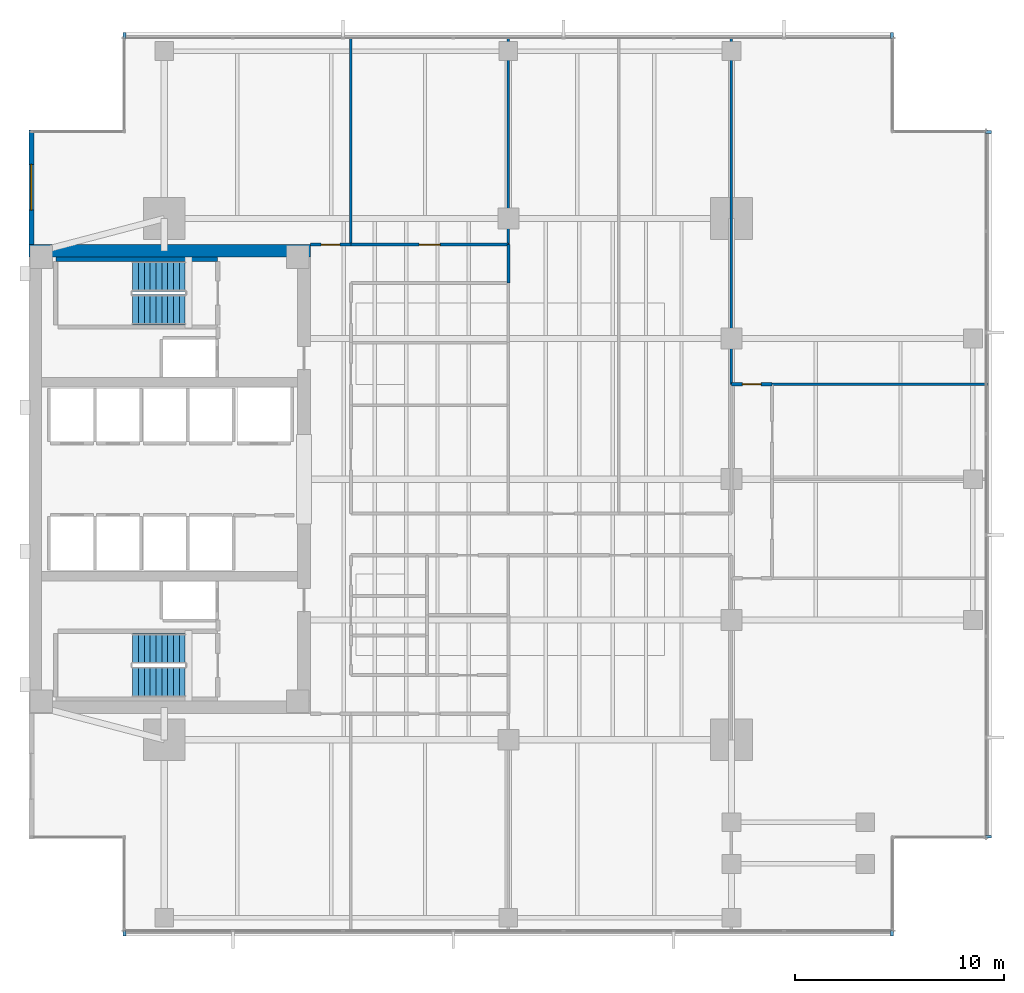
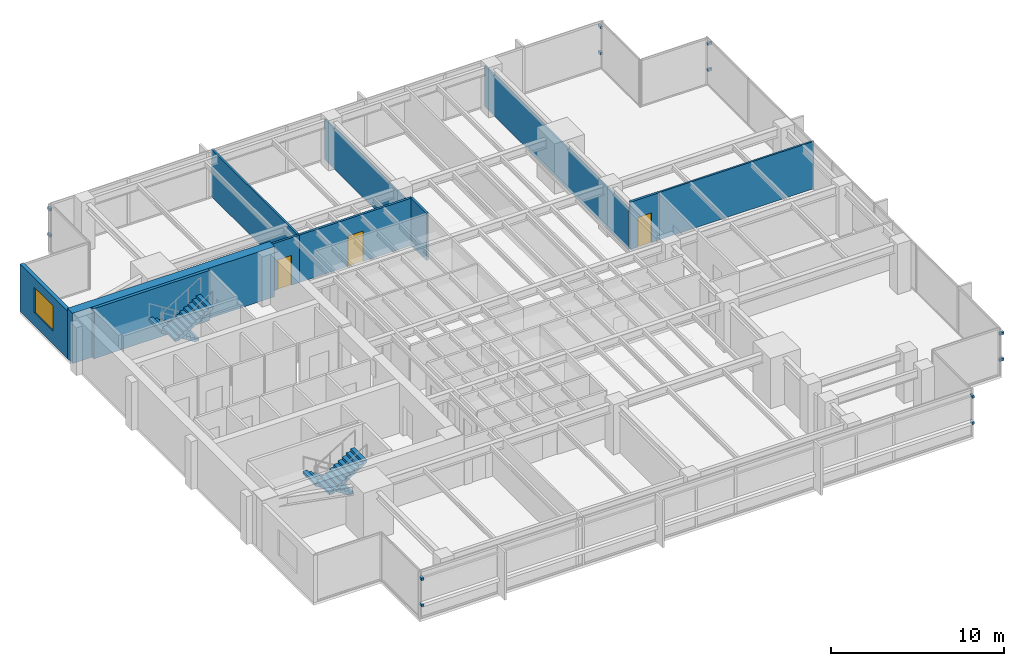
# One storey, part 11 of 15: 12 discrete accessories, 11 walls, 4 stair flights, 3 doors, 1 window, 4 openings, 2 elements without a shape of their own.
"""IFC4 building model written with IfcOpenShell, lengths in metres."""

from ifc_helpers import new_model, si_unit, direction, frame, frame_2d, origin, origin_2d, place, context, subcontext, project, spatial, polyline, rectangle, outline, extrude, material, layer, layer_set, type_object, element, fill, aggregate, save


model = new_model("IFC4")

# Units and contexts
model_context = context("Model", 3, precision=1e-05, world=origin(), true_north=direction((0.0, 1.0)))
body_context = subcontext(model_context, "Body", "Model", "MODEL_VIEW")
ifc_project = project(units=[si_unit("LENGTHUNIT", "METRE"), si_unit("AREAUNIT", "SQUARE_METRE"), si_unit("VOLUMEUNIT", "CUBIC_METRE"), si_unit("PLANEANGLEUNIT", "RADIAN"), si_unit("MASSUNIT", "GRAM", prefix="KILO")], contexts=[model_context])

# Site, building, storey
site_placement = place(None, origin())
site = spatial("IfcSite", under=ifc_project, at=site_placement, CompositionType="ELEMENT")
building_placement = place(site_placement, origin())
building = spatial("IfcBuilding", under=site, at=building_placement, Name="Kinhvarn Gate Tower", CompositionType="ELEMENT")
storey_placement = place(building_placement, frame((0.0, 0.0, 169.699951171875)))
storey = spatial("IfcBuildingStorey", under=building, at=storey_placement, Name="L45", CompositionType="ELEMENT", Elevation=169.699951171875)

# Wall
ifc_material_1 = material(Name="Concrete C60/75", Category="concrete")
ifc_layer_1 = layer(ifc_material_1, 0.60009765625)
ifc_layer_set_1 = layer_set([ifc_layer_1], Name="Concrete C60/75")
wall_type_1 = type_object("IfcWallType", Name="WL-CORE-600", PredefinedType="SHEAR", material=ifc_layer_set_1)
wall_1_placement = place(storey_placement, frame((4.5, 36.199951171875, 0.0), z_axis=(0.0, 0.0, 1.0), x_axis=(1.0, 0.0, 0.0)))
element("IfcWall", 1, at=wall_1_placement, inside=storey, type_object=wall_type_1, Name="Core North Shear Wall L45 600 mm", PredefinedType="SHEAR", context=body_context, shape_type="SweptSolid", body=[
    extrude(rectangle(XDim=13.5, YDim=0.60009765625, at=frame_2d((6.75, 0.0))), origin(), (0.0, 0.0, 1.0), 3.550048828125),
])

# Wall, opening, window
ifc_material_2 = material(Name="Fired architectural terracotta", Category="masonry")
ifc_layer_2 = layer(ifc_material_2, 0.25)
ifc_layer_set_2 = layer_set([ifc_layer_2], Name="Fired architectural terracotta")
wall_type_2 = type_object("IfcWallType", Name="WL-EXT-250", PredefinedType="SOLIDWALL", material=ifc_layer_set_2)
wall_2_placement = place(storey_placement, frame((4.625, 42.0, 0.0), z_axis=(0.0, 0.0, 1.0), x_axis=(0.0, -1.0, 0.0)))
wall_2 = element("IfcWall", 2, at=wall_2_placement, inside=storey, type_object=wall_type_2, Name="Exterior Solidwall Wall EW-250 (L45 West-North)", PredefinedType="SOLIDWALL", context=body_context, shape_type="SweptSolid", body=[
    extrude(rectangle(XDim=5.5, YDim=0.25, at=frame_2d((2.75, 0.0))), origin(), (0.0, 0.0, 1.0), 3.35009765625),
])
opening_1_placement = place(wall_2_placement, frame((1.64990234375, 0.0, 0.89990234375)))
opening_1 = element("IfcOpeningElement", 3, at=opening_1_placement, cuts=wall_2, Name="Opening WN-01", PredefinedType="OPENING", context=body_context, shape_type="SweptSolid", body=[
    extrude(rectangle(XDim=2.199951171875, YDim=1.800048828125, at=frame_2d((1.10009765625, 0.89990234375))), frame((0.0, 0.135009765625, 0.0), z_axis=(0.0, -1.0, 0.0), x_axis=(1.0, 0.0, 0.0)), (0.0, 0.0, 1.0), 0.27001953125),
])
ifc_material_3 = material(Name="Clear low-e double glazing", Category="glass")
window_type = type_object("IfcWindowType", Name="WIN-RIB-2200", PartitioningType="SINGLE_PANEL", PredefinedType="WINDOW", material=ifc_material_3)
window_placement = place(opening_1_placement, origin())
window = element("IfcWindow", 4, at=window_placement, inside=storey, type_object=window_type, Name="West Flank Double-Glazed Ribbon Window 2200x1800 mm (L45)", OverallHeight=1.800048828125, OverallWidth=2.199951171875, PartitioningType="SINGLE_PANEL", PredefinedType="WINDOW", context=body_context, shape_type="SweptSolid", body=[
    extrude(rectangle(XDim=2.199951171875, YDim=1.800048828125, at=frame_2d((1.10009765625, 0.89990234375))), frame((0.0, 0.030029296875, 0.0), z_axis=(0.0, -1.0, 0.0), x_axis=(1.0, 0.0, 0.0)), (0.0, 0.0, 1.0), 0.06005859375),
])
fill(opening_1, window)

# Walls
ifc_material_4 = material(Name="Gypsum acoustic partition board")
ifc_layer_3 = layer(ifc_material_4, 0.1201171875)
ifc_layer_set_3 = layer_set([ifc_layer_3], Name="Gypsum acoustic partition board")
wall_type_3 = type_object("IfcWallType", Name="WL-PRT-120", PredefinedType="PARTITIONING", material=ifc_layer_set_3)
wall_3_placement = place(storey_placement, frame((19.949951171875, 36.5, 0.0), z_axis=(0.0, 0.0, 1.0), x_axis=(0.0, 1.0, 0.0)))
element("IfcWall", 5, at=wall_3_placement, inside=storey, type_object=wall_type_3, Name="Interior Partition PW-120 (L45)", PredefinedType="PARTITIONING", context=body_context, shape_type="SweptSolid", body=[
    extrude(rectangle(XDim=9.989990234375, YDim=0.1201171875, at=frame_2d((4.9951171875, 0.0))), origin(), (0.0, 0.0, 1.0), 3.35009765625),
])
wall_4_placement = place(storey_placement, frame((27.5, 36.5, 0.0), z_axis=(0.0, 0.0, 1.0), x_axis=(0.0, 1.0, 0.0)))
element("IfcWall", 6, at=wall_4_placement, inside=storey, type_object=wall_type_3, Name="Interior Partition PW-120 (L45)", PredefinedType="PARTITIONING", context=body_context, shape_type="SweptSolid", body=[
    extrude(rectangle(XDim=9.989990234375, YDim=0.1201171875, at=frame_2d((4.9951171875, 0.0))), origin(), (0.0, 0.0, 1.0), 2.85009765625),
])
wall_5_placement = place(storey_placement, frame((38.199951171875, 29.800048828125, 0.0), z_axis=(0.0, 0.0, 1.0), x_axis=(0.0, 1.0, 0.0)))
element("IfcWall", 7, at=wall_5_placement, inside=storey, type_object=wall_type_3, Name="Interior Partition PW-120 (L45)", PredefinedType="PARTITIONING", context=body_context, shape_type="SweptSolid", body=[
    extrude(rectangle(XDim=16.68994140625, YDim=0.1201171875, at=frame_2d((8.344970703125, 0.0))), origin(), (0.0, 0.0, 1.0), 2.85009765625),
])
wall_6_placement = place(storey_placement, frame((40.14990234375, 29.800048828125, 0.0), z_axis=(0.0, 0.0, 1.0), x_axis=(1.0, 0.0, 0.0)))
element("IfcWall", 8, at=wall_6_placement, inside=storey, type_object=wall_type_3, Name="Interior Partition PW-120 (L45)", PredefinedType="PARTITIONING", context=body_context, shape_type="SweptSolid", body=[
    extrude(rectangle(XDim=10.340087890625, YDim=0.1201171875, at=frame_2d((5.169921875, 0.0))), origin(), (0.0, 0.0, 1.0), 3.35009765625),
])

# Wall, opening, door
ifc_layer_4 = layer(ifc_material_4, 0.14990234375)
ifc_layer_set_4 = layer_set([ifc_layer_4], Name="Gypsum acoustic partition board")
wall_type_4 = type_object("IfcWallType", Name="WL-PRT-150F", PredefinedType="PARTITIONING", material=ifc_layer_set_4)
wall_7_placement = place(storey_placement, frame((18.0, 36.5, 0.0), z_axis=(0.0, 0.0, 1.0), x_axis=(1.0, 0.0, 0.0)))
wall_7 = element("IfcWall", 9, at=wall_7_placement, inside=storey, type_object=wall_type_4, Name="Interior Partition PW-150F (L45)", PredefinedType="PARTITIONING", context=body_context, shape_type="SweptSolid", body=[
    extrude(rectangle(XDim=1.949951171875, YDim=0.14990234375, at=frame_2d((0.97509765625, 0.0))), origin(), (0.0, 0.0, 1.0), 3.35009765625),
])
opening_2_placement = place(wall_7_placement, frame((0.52490234375, 0.0, 0.0)))
opening_2 = element("IfcOpeningElement", 10, at=opening_2_placement, cuts=wall_7, Name="Opening ID-03", PredefinedType="OPENING", context=body_context, shape_type="SweptSolid", body=[
    extrude(rectangle(XDim=0.89990234375, YDim=2.10009765625, at=frame_2d((0.449951171875, 1.050048828125))), frame((0.0, 0.0849609375, 0.0), z_axis=(0.0, -1.0, 0.0), x_axis=(1.0, 0.0, 0.0)), (0.0, 0.0, 1.0), 0.169921875),
])
ifc_material_5 = material(Name="Anodised aluminium AW-6063", Category="aluminium")
door_type_1 = type_object("IfcDoorType", Name="DR-INT-900", OperationType="NOTDEFINED", PredefinedType="DOOR", material=ifc_material_5)
door_1_placement = place(opening_2_placement, origin())
door_1 = element("IfcDoor", 11, at=door_1_placement, inside=storey, type_object=door_type_1, Name="Cellular Office & Restroom Door 900x2100 mm (L45)", OperationType="SINGLE_SWING_RIGHT", OverallHeight=2.10009765625, OverallWidth=0.89990234375, PredefinedType="DOOR", context=body_context, shape_type="SweptSolid", body=[
    extrude(rectangle(XDim=0.89990234375, YDim=2.10009765625, at=frame_2d((0.449951171875, 1.050048828125))), frame((0.0, 0.02490234375, 0.0), z_axis=(0.0, -1.0, 0.0), x_axis=(1.0, 0.0, 0.0)), (0.0, 0.0, 1.0), 0.050048828125),
])
fill(opening_2, door_1)

wall_8_placement = place(storey_placement, frame((19.949951171875, 36.5, 0.0), z_axis=(0.0, 0.0, 1.0), x_axis=(1.0, 0.0, 0.0)))
wall_8 = element("IfcWall", 12, at=wall_8_placement, inside=storey, type_object=wall_type_4, Name="Interior Partition PW-150F (L45)", PredefinedType="PARTITIONING", context=body_context, shape_type="SweptSolid", body=[
    extrude(rectangle(XDim=7.550048828125, YDim=0.14990234375, at=frame_2d((3.77490234375, 0.0))), origin(), (0.0, 0.0, 1.0), 3.35009765625),
])
opening_3_placement = place(wall_8_placement, frame((3.27490234375, 0.0, 0.0)))
opening_3 = element("IfcOpeningElement", 13, at=opening_3_placement, cuts=wall_8, Name="Opening ID-02", PredefinedType="OPENING", context=body_context, shape_type="SweptSolid", body=[
    extrude(rectangle(XDim=1.0, YDim=2.14990234375, at=frame_2d((0.5, 1.074951171875))), frame((0.0, 0.0849609375, 0.0), z_axis=(0.0, -1.0, 0.0), x_axis=(1.0, 0.0, 0.0)), (0.0, 0.0, 1.0), 0.169921875),
])
door_type_2 = type_object("IfcDoorType", Name="DR-INT-1000", OperationType="NOTDEFINED", PredefinedType="DOOR", material=ifc_material_5)
door_2_placement = place(opening_3_placement, origin())
door_2 = element("IfcDoor", 14, at=door_2_placement, inside=storey, type_object=door_type_2, Name="Standard Office & Meeting Room Door 1000x2150 mm (L45)", OperationType="SINGLE_SWING_LEFT", OverallHeight=2.14990234375, OverallWidth=1.0, PredefinedType="DOOR", context=body_context, shape_type="SweptSolid", body=[
    extrude(rectangle(XDim=1.0, YDim=2.14990234375, at=frame_2d((0.5, 1.074951171875))), frame((0.0, 0.02490234375, 0.0), z_axis=(0.0, -1.0, 0.0), x_axis=(1.0, 0.0, 0.0)), (0.0, 0.0, 1.0), 0.050048828125),
])
fill(opening_3, door_2)

# Wall
wall_9_placement = place(storey_placement, frame((27.5, 34.64990234375, 0.0), z_axis=(0.0, 0.0, 1.0), x_axis=(0.0, 1.0, 0.0)))
element("IfcWall", 15, at=wall_9_placement, inside=storey, type_object=wall_type_4, Name="Interior Partition PW-150F (L45)", PredefinedType="PARTITIONING", context=body_context, shape_type="SweptSolid", body=[
    extrude(rectangle(XDim=1.85009765625, YDim=0.14990234375, at=frame_2d((0.925048828125, 0.0))), origin(), (0.0, 0.0, 1.0), 3.35009765625),
])

# Wall, opening, door
wall_10_placement = place(storey_placement, frame((38.199951171875, 29.800048828125, 0.0), z_axis=(0.0, 0.0, 1.0), x_axis=(1.0, 0.0, 0.0)))
wall_10 = element("IfcWall", 16, at=wall_10_placement, inside=storey, type_object=wall_type_4, Name="Interior Partition PW-150F (L45)", PredefinedType="PARTITIONING", context=body_context, shape_type="SweptSolid", body=[
    extrude(rectangle(XDim=1.949951171875, YDim=0.14990234375, at=frame_2d((0.97509765625, 0.0))), origin(), (0.0, 0.0, 1.0), 3.35009765625),
])
opening_4_placement = place(wall_10_placement, frame((0.52490234375, 0.0, 0.0)))
opening_4 = element("IfcOpeningElement", 17, at=opening_4_placement, cuts=wall_10, Name="Opening ID-03", PredefinedType="OPENING", context=body_context, shape_type="SweptSolid", body=[
    extrude(rectangle(XDim=0.89990234375, YDim=2.10009765625, at=frame_2d((0.449951171875, 1.050048828125))), frame((0.0, 0.0849609375, 0.0), z_axis=(0.0, -1.0, 0.0), x_axis=(1.0, 0.0, 0.0)), (0.0, 0.0, 1.0), 0.169921875),
])
door_3_placement = place(opening_4_placement, origin())
door_3 = element("IfcDoor", 18, at=door_3_placement, inside=storey, type_object=door_type_1, Name="Cellular Office & Restroom Door 900x2100 mm (L45)", OperationType="SINGLE_SWING_LEFT", OverallHeight=2.10009765625, OverallWidth=0.89990234375, PredefinedType="DOOR", context=body_context, shape_type="SweptSolid", body=[
    extrude(rectangle(XDim=0.89990234375, YDim=2.10009765625, at=frame_2d((0.449951171875, 1.050048828125))), frame((0.0, 0.02490234375, 0.0), z_axis=(0.0, -1.0, 0.0), x_axis=(1.0, 0.0, 0.0)), (0.0, 0.0, 1.0), 0.050048828125),
])
fill(opening_4, door_3)

# Wall
ifc_material_6 = material(Name="Concrete C40/50", Category="concrete")
ifc_layer_5 = layer(ifc_material_6, 0.199951171875)
ifc_layer_set_5 = layer_set([ifc_layer_5], Name="Concrete C40/50")
wall_type_5 = type_object("IfcWallType", Name="WL-SHF-200", PredefinedType="SOLIDWALL", material=ifc_layer_set_5)
wall_11_placement = place(storey_placement, frame((5.800048828125, 35.800048828125, 0.0), z_axis=(0.0, 0.0, 1.0), x_axis=(1.0, 0.0, 0.0)))
element("IfcWall", 19, at=wall_11_placement, inside=storey, type_object=wall_type_5, Name="Stair ST2 North Shaft Wall (L45)", PredefinedType="SOLIDWALL", context=body_context, shape_type="SweptSolid", body=[
    extrude(rectangle(XDim=7.75, YDim=0.199951171875, at=frame_2d((3.875, 0.0))), origin(), (0.0, 0.0, 1.0), 3.550048828125),
])

# Stair, stair flights
stair_type = type_object("IfcStairType", Name="STR-DLG-178", PredefinedType="HALF_TURN_STAIR", material=ifc_material_6)
stair_1_placement = place(storey_placement, origin())
stair_1 = element("IfcStair", 20, at=stair_1_placement, inside=storey, type_object=stair_type, Name="L45 Core Smokeproof Exit Stair ST1", PredefinedType="HALF_TURN_STAIR")
stair_flight_type = type_object("IfcStairFlightType", Name="STF-DLG-178", PredefinedType="STRAIGHT", material=ifc_material_6)
stair_flight_1_placement = place(storey_placement, frame((12.0, 17.125, 0.0), z_axis=(0.0, 0.0, 1.0), x_axis=(-1.0, 0.0, 0.0)))
stair_flight_1 = element("IfcStairFlight", 21, at=stair_flight_1_placement, type_object=stair_flight_type, Name="ST1 flight 1", NumberOfRisers=10, NumberOfTreads=9, PredefinedType="STRAIGHT", RiserHeight=0.1775, TreadLength=0.28, context=body_context, shape_type="SweptSolid", body=[
    extrude(outline(polyline([(0.0, 0.0), (0.0, 0.177490234375), (0.280029296875, 0.177490234375), (0.280029296875, 0.35498046875), (0.56005859375, 0.35498046875), (0.56005859375, 0.532470703125), (0.840087890625, 0.532470703125), (0.840087890625, 0.7099609375), (1.1201171875, 0.7099609375), (1.1201171875, 0.887451171875), (1.39990234375, 0.887451171875), (1.39990234375, 1.06494140625), (1.679931640625, 1.06494140625), (1.679931640625, 1.242431640625), (1.9599609375, 1.242431640625), (1.9599609375, 1.419921875), (2.239990234375, 1.419921875), (2.239990234375, 1.597412109375), (2.52001953125, 1.597412109375), (2.52001953125, 1.77490234375), (2.52001953125, 1.419921875), (0.280029296875, 0.0), (0.0, 0.0)])), frame((0.0, 0.72509765625, 0.0), z_axis=(0.0, -1.0, 0.0), x_axis=(1.0, 0.0, 0.0)), (0.0, 0.0, 1.0), 1.449951171875),
])
stair_flight_2_placement = place(storey_placement, frame((9.47998046875, 15.52490234375, 1.775146484375), z_axis=(0.0, 0.0, 1.0), x_axis=(1.0, 0.0, 0.0)))
stair_flight_2 = element("IfcStairFlight", 22, at=stair_flight_2_placement, type_object=stair_flight_type, Name="ST1 flight 2", NumberOfRisers=10, NumberOfTreads=9, PredefinedType="STRAIGHT", RiserHeight=0.1775, TreadLength=0.28, context=body_context, shape_type="SweptSolid", body=[
    extrude(outline(polyline([(0.0, 0.0), (0.0, 0.177490234375), (0.280029296875, 0.177490234375), (0.280029296875, 0.35498046875), (0.56005859375, 0.35498046875), (0.56005859375, 0.532470703125), (0.840087890625, 0.532470703125), (0.840087890625, 0.7099609375), (1.1201171875, 0.7099609375), (1.1201171875, 0.887451171875), (1.39990234375, 0.887451171875), (1.39990234375, 1.06494140625), (1.679931640625, 1.06494140625), (1.679931640625, 1.242431640625), (1.9599609375, 1.242431640625), (1.9599609375, 1.419921875), (2.239990234375, 1.419921875), (2.239990234375, 1.597412109375), (2.52001953125, 1.597412109375), (2.52001953125, 1.77490234375), (2.52001953125, 1.419921875), (0.280029296875, 0.0), (0.0, 0.0)])), frame((0.0, 0.72509765625, 0.0), z_axis=(0.0, -1.0, 0.0), x_axis=(1.0, 0.0, 0.0)), (0.0, 0.0, 1.0), 1.449951171875),
])
aggregate(stair_1, [stair_flight_1, stair_flight_2])

stair_2_placement = place(storey_placement, origin())
stair_2 = element("IfcStair", 23, at=stair_2_placement, inside=storey, type_object=stair_type, Name="L45 Core Smokeproof Exit Stair ST2", PredefinedType="HALF_TURN_STAIR")
stair_flight_3_placement = place(storey_placement, frame((12.0, 34.97509765625, 0.0), z_axis=(0.0, 0.0, 1.0), x_axis=(-1.0, 0.0, 0.0)))
stair_flight_3 = element("IfcStairFlight", 24, at=stair_flight_3_placement, type_object=stair_flight_type, Name="ST2 flight 1", NumberOfRisers=10, NumberOfTreads=9, PredefinedType="STRAIGHT", RiserHeight=0.1775, TreadLength=0.28, context=body_context, shape_type="SweptSolid", body=[
    extrude(outline(polyline([(0.0, 0.0), (0.0, 0.177490234375), (0.280029296875, 0.177490234375), (0.280029296875, 0.35498046875), (0.56005859375, 0.35498046875), (0.56005859375, 0.532470703125), (0.840087890625, 0.532470703125), (0.840087890625, 0.7099609375), (1.1201171875, 0.7099609375), (1.1201171875, 0.887451171875), (1.39990234375, 0.887451171875), (1.39990234375, 1.06494140625), (1.679931640625, 1.06494140625), (1.679931640625, 1.242431640625), (1.9599609375, 1.242431640625), (1.9599609375, 1.419921875), (2.239990234375, 1.419921875), (2.239990234375, 1.597412109375), (2.52001953125, 1.597412109375), (2.52001953125, 1.77490234375), (2.52001953125, 1.419921875), (0.280029296875, 0.0), (0.0, 0.0)])), frame((0.0, 0.72509765625, 0.0), z_axis=(0.0, -1.0, 0.0), x_axis=(1.0, 0.0, 0.0)), (0.0, 0.0, 1.0), 1.449951171875),
])
stair_flight_4_placement = place(storey_placement, frame((9.47998046875, 33.375, 1.775146484375), z_axis=(0.0, 0.0, 1.0), x_axis=(1.0, 0.0, 0.0)))
stair_flight_4 = element("IfcStairFlight", 25, at=stair_flight_4_placement, type_object=stair_flight_type, Name="ST2 flight 2", NumberOfRisers=10, NumberOfTreads=9, PredefinedType="STRAIGHT", RiserHeight=0.1775, TreadLength=0.28, context=body_context, shape_type="SweptSolid", body=[
    extrude(outline(polyline([(0.0, 0.0), (0.0, 0.177490234375), (0.280029296875, 0.177490234375), (0.280029296875, 0.35498046875), (0.56005859375, 0.35498046875), (0.56005859375, 0.532470703125), (0.840087890625, 0.532470703125), (0.840087890625, 0.7099609375), (1.1201171875, 0.7099609375), (1.1201171875, 0.887451171875), (1.39990234375, 0.887451171875), (1.39990234375, 1.06494140625), (1.679931640625, 1.06494140625), (1.679931640625, 1.242431640625), (1.9599609375, 1.242431640625), (1.9599609375, 1.419921875), (2.239990234375, 1.419921875), (2.239990234375, 1.597412109375), (2.52001953125, 1.597412109375), (2.52001953125, 1.77490234375), (2.52001953125, 1.419921875), (0.280029296875, 0.0), (0.0, 0.0)])), frame((0.0, 0.72509765625, 0.0), z_axis=(0.0, -1.0, 0.0), x_axis=(1.0, 0.0, 0.0)), (0.0, 0.0, 1.0), 1.449951171875),
])
aggregate(stair_2, [stair_flight_3, stair_flight_4])

# Discrete accessories
discrete_accessory_type = type_object("IfcDiscreteAccessoryType", Name="ACC-BRK-01", PredefinedType="BRACKET", material=ifc_material_5)
for number, where, z_axis, x_axis, name in (
    (26, (9.10009765625, 3.469970703125, 0.9599609375), (0.0, 0.0, 1.0), (1.0, 0.0, 0.0), "Baguette Support Bracket BK-01 (L45)"),
    (27, (9.10009765625, 3.469970703125, 2.81005859375), (0.0, 0.0, 1.0), (1.0, 0.0, 0.0), "Baguette Support Bracket BK-01 (L45)"),
    (28, (45.89990234375, 3.469970703125, 0.9599609375), (0.0, 0.0, 1.0), (1.0, 0.0, 0.0), "Baguette Support Bracket BK-01 (L45)"),
    (29, (45.89990234375, 3.469970703125, 2.81005859375), (0.0, 0.0, 1.0), (1.0, 0.0, 0.0), "Baguette Support Bracket BK-01 (L45)"),
    (30, (45.89990234375, 46.530029296875, 0.9599609375), (0.0, 0.0, 1.0), (-1.0, 0.0, 0.0), "Baguette Support Bracket BK-01 (L45)"),
    (31, (45.89990234375, 46.530029296875, 2.81005859375), (0.0, 0.0, 1.0), (-1.0, 0.0, 0.0), "Baguette Support Bracket BK-01 (L45)"),
    (32, (9.10009765625, 46.530029296875, 0.9599609375), (0.0, 0.0, 1.0), (-1.0, 0.0, 0.0), "Baguette Support Bracket BK-01 (L45)"),
    (33, (9.10009765625, 46.530029296875, 2.81005859375), (0.0, 0.0, 1.0), (-1.0, 0.0, 0.0), "Baguette Support Bracket BK-01 (L45)"),
    (34, (50.530029296875, 8.10009765625, 0.9599609375), (0.0, 0.0, 1.0), (0.0, 1.0, 0.0), "Baguette Support Bracket BK-01 (L45)"),
    (35, (50.530029296875, 8.10009765625, 2.81005859375), (0.0, 0.0, 1.0), (0.0, 1.0, 0.0), "Baguette Support Bracket BK-01 (L45)"),
    (36, (50.530029296875, 41.89990234375, 0.9599609375), (0.0, 0.0, 1.0), (0.0, 1.0, 0.0), "Baguette Support Bracket BK-01 (L45)"),
    (37, (50.530029296875, 41.89990234375, 2.81005859375), (0.0, 0.0, 1.0), (0.0, 1.0, 0.0), "Baguette Support Bracket BK-01 (L45)"),
):
    element("IfcDiscreteAccessory", number, at=place(storey_placement, frame(where, z_axis=z_axis, x_axis=x_axis)), inside=storey, type_object=discrete_accessory_type, Name=name, PredefinedType="BRACKET", context=body_context, shape_type="SweptSolid", body=[
        extrude(rectangle(XDim=0.139892578125, YDim=0.280029296875, at=origin_2d()), origin(), (0.0, 0.0, 1.0), 0.179931640625),
    ])

save(model, "model.ifc")
